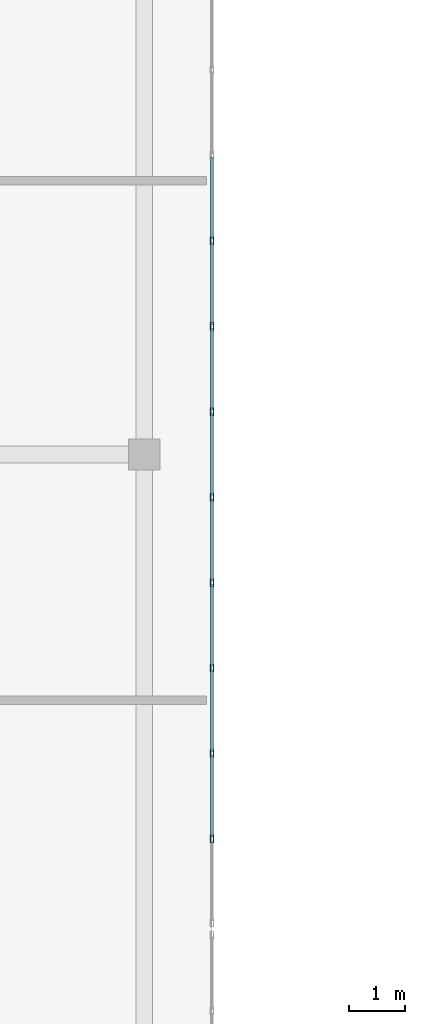
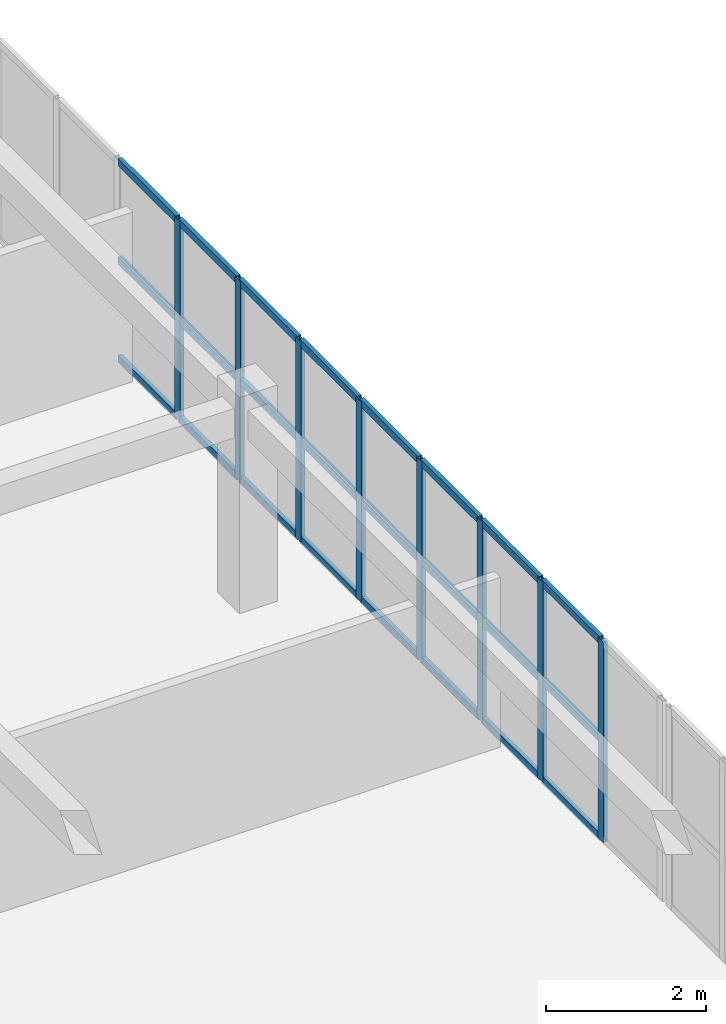
# One storey, part 49 of 148: 32 members, 1 element without a shape of its own.
"""IFC4 building model written with IfcOpenShell, lengths in metres."""

import ifcopenshell
import ifcopenshell.guid

model = None  # the IFC model being written
_history = None  # IfcOwnerHistory: only IFC2X3 demands one
_inside = {}  # id of a spatial element -> (the spatial element, [elements in it])
_under = {}  # id of a project, library or spatial element -> (it, [spatial elements below it])
_declared = {}  # id of a project -> (the project, [libraries it declares])
_typed = {}  # id of a type object -> (the type object, [elements of that type])
_made_of = {}  # id of a material, layer set ... -> (it, [elements and type objects made of it])


def new_model(schema):
    """Start an empty IFC model of exactly this schema.

    Asked for "IFC4X3", IfcOpenShell would pick the latest addendum, in which some entities
    have other attributes; the version numbers below select the first issue.
    IFC2X3 requires an IfcOwnerHistory on every rooted entity: one is made here for all.
    """
    global model, _history
    if schema == "IFC4X3":
        model = ifcopenshell.file(schema_version=(4, 3, 0, 0))
    else:
        model = ifcopenshell.file(schema=schema)
    _inside.clear()
    _under.clear()
    _declared.clear()
    _typed.clear()
    _made_of.clear()
    _history = None
    if model.schema == "IFC2X3":
        org = make("IfcOrganization", Name="unknown")
        user = make(
            "IfcPersonAndOrganization",
            ThePerson=make("IfcPerson", FamilyName="unknown"),
            TheOrganization=org,
        )
        app = make(
            "IfcApplication",
            ApplicationDeveloper=org,
            Version="unknown",
            ApplicationFullName="unknown",
            ApplicationIdentifier="unknown",
        )
        _history = make(
            "IfcOwnerHistory",
            OwningUser=user,
            OwningApplication=app,
            ChangeAction="ADDED",
            CreationDate=0,
        )
    return model


def make(cls, **values):
    """One entity of the class cls with the attributes given. An attribute that is None is left unset."""
    return model.create_entity(
        cls, **{name: value for name, value in values.items() if value is not None}
    )


def rooted(cls, **values):
    """An entity with a GlobalId (a new one), such as an element, a storey or a relation."""
    return make(cls, GlobalId=ifcopenshell.guid.new(), OwnerHistory=_history, **values)


def si_unit(unit_type, name, prefix=None):
    """IfcSIUnit, for example si_unit("LENGTHUNIT", "METRE", prefix="MILLI")."""
    return make("IfcSIUnit", UnitType=unit_type, Prefix=prefix, Name=name)


def assignment(units):
    """IfcUnitAssignment: the units of a project."""
    return None if units is None else make("IfcUnitAssignment", Units=units)


def point(xyz):
    """IfcCartesianPoint."""
    return None if xyz is None else make("IfcCartesianPoint", Coordinates=xyz)


def direction(xyz):
    """IfcDirection."""
    return None if xyz is None else make("IfcDirection", DirectionRatios=xyz)


def frame(location, z_axis=None, x_axis=None):
    """IfcAxis2Placement3D, a coordinate frame: its origin and axes. An axis left out is left unset."""
    return make(
        "IfcAxis2Placement3D",
        Location=point(location),
        Axis=direction(z_axis),
        RefDirection=direction(x_axis),
    )


def frame_2d(location, x_axis=None):
    """IfcAxis2Placement2D, a coordinate frame in the plane: its origin and x axis."""
    return make(
        "IfcAxis2Placement2D", Location=point(location), RefDirection=direction(x_axis)
    )


def origin():
    """The frame at (0, 0, 0) with its axes left unset."""
    return frame((0.0, 0.0, 0.0))


def origin_2d():
    """The frame at (0, 0) in the plane with its x axis left unset."""
    return frame_2d((0.0, 0.0))


def place(relative_to, where):
    """IfcLocalPlacement: puts the frame where relative to a parent placement (None: the world)."""
    return make(
        "IfcLocalPlacement", PlacementRelTo=relative_to, RelativePlacement=where
    )


def context(
    kind, dimensions, precision=None, world=None, true_north=None, identifier=None
):
    """IfcGeometricRepresentationContext, for example the 3D "Model" context."""
    return make(
        "IfcGeometricRepresentationContext",
        ContextIdentifier=identifier,
        ContextType=kind,
        CoordinateSpaceDimension=dimensions,
        Precision=precision,
        WorldCoordinateSystem=world,
        TrueNorth=true_north,
    )


def subcontext(parent, identifier, kind, view, scale=None):
    """IfcGeometricRepresentationSubContext, for example "Body" below "Model"."""
    return make(
        "IfcGeometricRepresentationSubContext",
        ContextIdentifier=identifier,
        ContextType=kind,
        ParentContext=parent,
        TargetScale=scale,
        TargetView=view,
    )


def project(units=None, contexts=None):
    """IfcProject with its units and contexts."""
    return rooted(
        "IfcProject",
        Name="project",
        RepresentationContexts=contexts,
        UnitsInContext=assignment(units),
    )


def spatial(cls, under=None, at=None, **own):
    """A site, building, storey or space (cls), placed at a placement, below another one or the project."""
    s = rooted(cls, ObjectPlacement=at, **own)
    if under is not None:
        _under.setdefault(under.id(), (under, []))[1].append(s)
    return s


def profile(cls, at=None, kind="AREA", **sizes):
    """A parametric profile (cls). Its sizes go by their IFC names, for example OverallWidth=200.0."""
    return make(cls, ProfileType=kind, Position=at, **sizes)


def hollow_rectangle(**sizes):
    """IfcRectangleHollowProfileDef."""
    return profile("IfcRectangleHollowProfileDef", **sizes)


def extrude(swept, where, along, depth):
    """IfcExtrudedAreaSolid: the profile swept, set in the frame where, extruded along a direction by depth."""
    return make(
        "IfcExtrudedAreaSolid",
        SweptArea=swept,
        Position=where,
        ExtrudedDirection=direction(along),
        Depth=depth,
    )


def shape(context_of_items, identifier, shape_type, items):
    """IfcShapeRepresentation: the items that make up one representation, for example the "Body"."""
    return make(
        "IfcShapeRepresentation",
        ContextOfItems=context_of_items,
        RepresentationIdentifier=identifier,
        RepresentationType=shape_type,
        Items=items,
    )


def material(Name=None, Category=None):
    """IfcMaterial."""
    return make("IfcMaterial", Name=Name, Category=Category)


def layer(
    of_material, thickness, ventilated=None, Name=None, Category=None, Priority=None
):
    """IfcMaterialLayer: one layer of a wall or slab, of a material (None: an air gap)."""
    return make(
        "IfcMaterialLayer",
        Material=of_material,
        LayerThickness=thickness,
        IsVentilated=ventilated,
        Name=Name,
        Category=Category,
        Priority=Priority,
    )


def layer_set(layers, Name=None):
    """IfcMaterialLayerSet."""
    return make("IfcMaterialLayerSet", MaterialLayers=layers, LayerSetName=Name)


def material_profile(
    of_material, cross_section, Name=None, Category=None, Priority=None
):
    """IfcMaterialProfile: a cross section and its material."""
    return make(
        "IfcMaterialProfile",
        Name=Name,
        Material=of_material,
        Profile=cross_section,
        Priority=Priority,
        Category=Category,
    )


def profile_set(profiles, Name=None, composite=None):
    """IfcMaterialProfileSet."""
    return make(
        "IfcMaterialProfileSet",
        Name=Name,
        MaterialProfiles=profiles,
        CompositeProfile=composite,
    )


def made_of(thing, what):
    """Note that an element or type object is made of a material, layer set ...; save() writes the relation."""
    if what is not None:
        _made_of.setdefault(what.id(), (what, []))[1].append(thing)
    return thing


def type_object(cls, material=None, **own):
    """A type object (cls), such as IfcWallType, which elements share."""
    return made_of(rooted(cls, **own), material)


def element(
    cls,
    number,
    at=None,
    inside=None,
    cuts=None,
    type_object=None,
    material=None,
    context=None,
    identifier="Body",
    shape_type=None,
    held_by="IfcProductDefinitionShape",
    body=None,
    shapes=None,
    **own,
):
    """One element of the class cls, such as IfcWall. Its Tag is "e" and its number.

    at: its placement. inside: the storey or other place that contains it. cuts: it is an
    opening in that element (IfcRelVoidsElement). A single representation is given by context,
    identifier, shape_type and body (its items); several are given by shapes. held_by: the class
    of the entity that holds the representations. save() writes the other relations.
    """
    e = rooted(cls, Tag="e%d" % number, ObjectPlacement=at, **own)
    if body is not None:
        shapes = [shape(context, identifier, shape_type, body)]
    if shapes is not None:
        e.Representation = make(held_by, Representations=shapes)
    if inside is not None:
        _inside.setdefault(inside.id(), (inside, []))[1].append(e)
    if cuts is not None:
        rooted(
            "IfcRelVoidsElement", RelatingBuildingElement=cuts, RelatedOpeningElement=e
        )
    if type_object is not None:
        _typed.setdefault(type_object.id(), (type_object, []))[1].append(e)
    return made_of(e, material)


def aggregate(whole, parts):
    """IfcRelAggregates: a whole, such as a stair, and the parts it consists of."""
    return rooted("IfcRelAggregates", RelatingObject=whole, RelatedObjects=parts)


def save(model, path):
    """Write the relations noted so far, then the file.

    IfcRelAggregates (storeys below a building ...), IfcRelContainedInSpatialStructure (elements
    in a storey), IfcRelDefinesByType, IfcRelAssociatesMaterial and IfcRelDeclares: one each for
    every whole, place, type object, material and project.
    """
    for whole, parts in _under.values():
        aggregate(whole, parts)
    for where, things in _inside.values():
        rooted(
            "IfcRelContainedInSpatialStructure",
            RelatedElements=things,
            RelatingStructure=where,
        )
    for kind, things in _typed.values():
        rooted("IfcRelDefinesByType", RelatedObjects=things, RelatingType=kind)
    for what, things in _made_of.values():
        rooted("IfcRelAssociatesMaterial", RelatedObjects=things, RelatingMaterial=what)
    for by, libraries in _declared.values():
        rooted("IfcRelDeclares", RelatingContext=by, RelatedDefinitions=libraries)
    model.write(path)


model = new_model("IFC4")

# Units and contexts
model_context = context("Model", 3, precision=1e-05, world=origin(), true_north=direction((0.0, 1.0)))
body_context = subcontext(model_context, "Body", "Model", "MODEL_VIEW")
ifc_project = project(units=[si_unit("LENGTHUNIT", "METRE"), si_unit("AREAUNIT", "SQUARE_METRE"), si_unit("VOLUMEUNIT", "CUBIC_METRE"), si_unit("PLANEANGLEUNIT", "RADIAN"), si_unit("MASSUNIT", "GRAM", prefix="KILO")], contexts=[model_context])

# Site, building, storey
site_placement = place(None, origin())
site = spatial("IfcSite", under=ifc_project, at=site_placement, CompositionType="ELEMENT")
building_placement = place(site_placement, origin())
building = spatial("IfcBuilding", under=site, at=building_placement, Name="Trelvath General Hospital", CompositionType="ELEMENT")
storey_placement = place(building_placement, frame((0.0, 0.0, 12.89990234375)))
storey = spatial("IfcBuildingStorey", under=building, at=storey_placement, Name="L03", CompositionType="ELEMENT", Elevation=12.89990234375)

# Curtain wall, members
ifc_material_1 = material(Name="Anodised aluminium and low-E glass", Category="aluminium")
ifc_layer = layer(ifc_material_1, 0.14990234375)
ifc_layer_set = layer_set([ifc_layer], Name="Anodised aluminium and low-E glass")
curtain_wall_type = type_object("IfcCurtainWallType", Name="CW CrystalCube 1664 306 15", PredefinedType="USERDEFINED", material=ifc_layer_set)
curtain_wall_placement = place(storey_placement, origin())
curtain_wall = element("IfcCurtainWall", 1, at=curtain_wall_placement, inside=storey, type_object=curtain_wall_type, Name="Crystal Cube Curtain Wall CUBE-E-T1 E3 L03", ObjectType="Unitised Glazed Curtain Wall", PredefinedType="USERDEFINED")
ifc_material_2 = material(Name="Anodised aluminium", Category="aluminium")
ifc_material_profile_1 = material_profile(ifc_material_2, hollow_rectangle(XDim=0.06005859375, YDim=0.139892578125, WallThickness=0.00390625, at=origin_2d()), Name="RHS60x140x4")
ifc_profile_set_1 = profile_set([ifc_material_profile_1], Name="Anodised aluminium")
member_type_1 = type_object("IfcMemberType", Name="CurtainMullion 60x140", PredefinedType="MULLION", material=ifc_profile_set_1)
member_1_placement = place(storey_placement, frame((114.800048828125, 62.581787109375, 0.0), z_axis=(0.0, 0.0, 1.0), x_axis=(1.0, 0.0, 0.0)))
member_1 = element("IfcMember", 2, at=member_1_placement, type_object=member_type_1, Name="CW-253 mullion 4", PredefinedType="MULLION", context=body_context, shape_type="SweptSolid", body=[
    extrude(hollow_rectangle(XDim=0.06005859375, YDim=0.139892578125, WallThickness=0.00390625, at=origin_2d()), origin(), (0.0, 0.0, 1.0), 3.06005859375),
])
member_2_placement = place(storey_placement, frame((114.800048828125, 61.069091796875, 0.0), z_axis=(0.0, 0.0, 1.0), x_axis=(1.0, 0.0, 0.0)))
member_2 = element("IfcMember", 3, at=member_2_placement, type_object=member_type_1, Name="CW-253 mullion 5", PredefinedType="MULLION", context=body_context, shape_type="SweptSolid", body=[
    extrude(hollow_rectangle(XDim=0.06005859375, YDim=0.139892578125, WallThickness=0.00390625, at=origin_2d()), origin(), (0.0, 0.0, 1.0), 3.06005859375),
])
member_3_placement = place(storey_placement, frame((114.800048828125, 59.556396484375, 0.0), z_axis=(0.0, 0.0, 1.0), x_axis=(1.0, 0.0, 0.0)))
member_3 = element("IfcMember", 4, at=member_3_placement, type_object=member_type_1, Name="CW-253 mullion 6", PredefinedType="MULLION", context=body_context, shape_type="SweptSolid", body=[
    extrude(hollow_rectangle(XDim=0.06005859375, YDim=0.139892578125, WallThickness=0.00390625, at=origin_2d()), origin(), (0.0, 0.0, 1.0), 3.06005859375),
])
member_4_placement = place(storey_placement, frame((114.800048828125, 58.043701171875, 0.0), z_axis=(0.0, 0.0, 1.0), x_axis=(1.0, 0.0, 0.0)))
member_4 = element("IfcMember", 5, at=member_4_placement, type_object=member_type_1, Name="CW-253 mullion 7", PredefinedType="MULLION", context=body_context, shape_type="SweptSolid", body=[
    extrude(hollow_rectangle(XDim=0.06005859375, YDim=0.139892578125, WallThickness=0.00390625, at=origin_2d()), origin(), (0.0, 0.0, 1.0), 3.06005859375),
])
member_5_placement = place(storey_placement, frame((114.800048828125, 56.531005859375, 0.0), z_axis=(0.0, 0.0, 1.0), x_axis=(1.0, 0.0, 0.0)))
member_5 = element("IfcMember", 6, at=member_5_placement, type_object=member_type_1, Name="CW-253 mullion 8", PredefinedType="MULLION", context=body_context, shape_type="SweptSolid", body=[
    extrude(hollow_rectangle(XDim=0.06005859375, YDim=0.139892578125, WallThickness=0.00390625, at=origin_2d()), origin(), (0.0, 0.0, 1.0), 3.06005859375),
])
member_6_placement = place(storey_placement, frame((114.800048828125, 55.01806640625, 0.0), z_axis=(0.0, 0.0, 1.0), x_axis=(1.0, 0.0, 0.0)))
member_6 = element("IfcMember", 7, at=member_6_placement, type_object=member_type_1, Name="CW-253 mullion 9", PredefinedType="MULLION", context=body_context, shape_type="SweptSolid", body=[
    extrude(hollow_rectangle(XDim=0.06005859375, YDim=0.139892578125, WallThickness=0.00390625, at=origin_2d()), origin(), (0.0, 0.0, 1.0), 3.06005859375),
])
member_7_placement = place(storey_placement, frame((114.800048828125, 53.50537109375, 0.0), z_axis=(0.0, 0.0, 1.0), x_axis=(1.0, 0.0, 0.0)))
member_7 = element("IfcMember", 8, at=member_7_placement, type_object=member_type_1, Name="CW-253 mullion 10", PredefinedType="MULLION", context=body_context, shape_type="SweptSolid", body=[
    extrude(hollow_rectangle(XDim=0.06005859375, YDim=0.139892578125, WallThickness=0.00390625, at=origin_2d()), origin(), (0.0, 0.0, 1.0), 3.06005859375),
])
member_8_placement = place(storey_placement, frame((114.800048828125, 51.99267578125, 0.0), z_axis=(0.0, 0.0, 1.0), x_axis=(1.0, 0.0, 0.0)))
member_8 = element("IfcMember", 9, at=member_8_placement, type_object=member_type_1, Name="CW-253 mullion 11", PredefinedType="MULLION", context=body_context, shape_type="SweptSolid", body=[
    extrude(hollow_rectangle(XDim=0.06005859375, YDim=0.139892578125, WallThickness=0.00390625, at=origin_2d()), origin(), (0.0, 0.0, 1.0), 3.06005859375),
])
ifc_material_3 = material(Name="Anodised aluminium", Category="aluminium")
ifc_material_profile_2 = material_profile(ifc_material_3, hollow_rectangle(XDim=0.06005859375, YDim=0.110107421875, WallThickness=0.00390625, at=origin_2d()), Name="RHS60x110x4")
ifc_profile_set_2 = profile_set([ifc_material_profile_2], Name="Anodised aluminium")
member_type_2 = type_object("IfcMemberType", Name="CurtainTransom 60x110", PredefinedType="USERDEFINED", material=ifc_profile_set_2)
member_9_placement = place(storey_placement, frame((114.800048828125, 64.064453125, 0.030029296875), z_axis=(0.0, -1.0, 0.0), x_axis=(1.0, 0.0, 0.0)))
member_9 = element("IfcMember", 10, at=member_9_placement, type_object=member_type_2, Name="CW-253 transom 3.1", ObjectType="TRANSOM", PredefinedType="USERDEFINED", context=body_context, shape_type="SweptSolid", body=[
    extrude(hollow_rectangle(XDim=0.06005859375, YDim=0.110107421875, WallThickness=0.00390625, at=origin_2d()), origin(), (0.0, 0.0, 1.0), 1.45263671875),
])
member_10_placement = place(storey_placement, frame((114.800048828125, 64.064453125, 1.530029296875), z_axis=(0.0, -1.0, 0.0), x_axis=(1.0, 0.0, 0.0)))
member_10 = element("IfcMember", 11, at=member_10_placement, type_object=member_type_2, Name="CW-253 transom 3.2", ObjectType="TRANSOM", PredefinedType="USERDEFINED", context=body_context, shape_type="SweptSolid", body=[
    extrude(hollow_rectangle(XDim=0.06005859375, YDim=0.110107421875, WallThickness=0.00390625, at=origin_2d()), origin(), (0.0, 0.0, 1.0), 1.45263671875),
])
member_11_placement = place(storey_placement, frame((114.800048828125, 64.064453125, 3.030029296875), z_axis=(0.0, -1.0, 0.0), x_axis=(1.0, 0.0, 0.0)))
member_11 = element("IfcMember", 12, at=member_11_placement, type_object=member_type_2, Name="CW-253 transom 3.3", ObjectType="TRANSOM", PredefinedType="USERDEFINED", context=body_context, shape_type="SweptSolid", body=[
    extrude(hollow_rectangle(XDim=0.06005859375, YDim=0.110107421875, WallThickness=0.00390625, at=origin_2d()), origin(), (0.0, 0.0, 1.0), 1.45263671875),
])
member_12_placement = place(storey_placement, frame((114.800048828125, 62.5517578125, 0.030029296875), z_axis=(0.0, -1.0, 0.0), x_axis=(1.0, 0.0, 0.0)))
member_12 = element("IfcMember", 13, at=member_12_placement, type_object=member_type_2, Name="CW-253 transom 4.1", ObjectType="TRANSOM", PredefinedType="USERDEFINED", context=body_context, shape_type="SweptSolid", body=[
    extrude(hollow_rectangle(XDim=0.06005859375, YDim=0.110107421875, WallThickness=0.00390625, at=origin_2d()), origin(), (0.0, 0.0, 1.0), 1.45263671875),
])
member_13_placement = place(storey_placement, frame((114.800048828125, 62.5517578125, 1.530029296875), z_axis=(0.0, -1.0, 0.0), x_axis=(1.0, 0.0, 0.0)))
member_13 = element("IfcMember", 14, at=member_13_placement, type_object=member_type_2, Name="CW-253 transom 4.2", ObjectType="TRANSOM", PredefinedType="USERDEFINED", context=body_context, shape_type="SweptSolid", body=[
    extrude(hollow_rectangle(XDim=0.06005859375, YDim=0.110107421875, WallThickness=0.00390625, at=origin_2d()), origin(), (0.0, 0.0, 1.0), 1.45263671875),
])
member_14_placement = place(storey_placement, frame((114.800048828125, 62.5517578125, 3.030029296875), z_axis=(0.0, -1.0, 0.0), x_axis=(1.0, 0.0, 0.0)))
member_14 = element("IfcMember", 15, at=member_14_placement, type_object=member_type_2, Name="CW-253 transom 4.3", ObjectType="TRANSOM", PredefinedType="USERDEFINED", context=body_context, shape_type="SweptSolid", body=[
    extrude(hollow_rectangle(XDim=0.06005859375, YDim=0.110107421875, WallThickness=0.00390625, at=origin_2d()), origin(), (0.0, 0.0, 1.0), 1.45263671875),
])
member_15_placement = place(storey_placement, frame((114.800048828125, 61.0390625, 0.030029296875), z_axis=(0.0, -1.0, 0.0), x_axis=(1.0, 0.0, 0.0)))
member_15 = element("IfcMember", 16, at=member_15_placement, type_object=member_type_2, Name="CW-253 transom 5.1", ObjectType="TRANSOM", PredefinedType="USERDEFINED", context=body_context, shape_type="SweptSolid", body=[
    extrude(hollow_rectangle(XDim=0.06005859375, YDim=0.110107421875, WallThickness=0.00390625, at=origin_2d()), origin(), (0.0, 0.0, 1.0), 1.45263671875),
])
member_16_placement = place(storey_placement, frame((114.800048828125, 61.0390625, 1.530029296875), z_axis=(0.0, -1.0, 0.0), x_axis=(1.0, 0.0, 0.0)))
member_16 = element("IfcMember", 17, at=member_16_placement, type_object=member_type_2, Name="CW-253 transom 5.2", ObjectType="TRANSOM", PredefinedType="USERDEFINED", context=body_context, shape_type="SweptSolid", body=[
    extrude(hollow_rectangle(XDim=0.06005859375, YDim=0.110107421875, WallThickness=0.00390625, at=origin_2d()), origin(), (0.0, 0.0, 1.0), 1.45263671875),
])
member_17_placement = place(storey_placement, frame((114.800048828125, 61.0390625, 3.030029296875), z_axis=(0.0, -1.0, 0.0), x_axis=(1.0, 0.0, 0.0)))
member_17 = element("IfcMember", 18, at=member_17_placement, type_object=member_type_2, Name="CW-253 transom 5.3", ObjectType="TRANSOM", PredefinedType="USERDEFINED", context=body_context, shape_type="SweptSolid", body=[
    extrude(hollow_rectangle(XDim=0.06005859375, YDim=0.110107421875, WallThickness=0.00390625, at=origin_2d()), origin(), (0.0, 0.0, 1.0), 1.45263671875),
])
member_18_placement = place(storey_placement, frame((114.800048828125, 59.5263671875, 0.030029296875), z_axis=(0.0, -1.0, 0.0), x_axis=(1.0, 0.0, 0.0)))
member_18 = element("IfcMember", 19, at=member_18_placement, type_object=member_type_2, Name="CW-253 transom 6.1", ObjectType="TRANSOM", PredefinedType="USERDEFINED", context=body_context, shape_type="SweptSolid", body=[
    extrude(hollow_rectangle(XDim=0.06005859375, YDim=0.110107421875, WallThickness=0.00390625, at=origin_2d()), origin(), (0.0, 0.0, 1.0), 1.45263671875),
])
member_19_placement = place(storey_placement, frame((114.800048828125, 59.5263671875, 1.530029296875), z_axis=(0.0, -1.0, 0.0), x_axis=(1.0, 0.0, 0.0)))
member_19 = element("IfcMember", 20, at=member_19_placement, type_object=member_type_2, Name="CW-253 transom 6.2", ObjectType="TRANSOM", PredefinedType="USERDEFINED", context=body_context, shape_type="SweptSolid", body=[
    extrude(hollow_rectangle(XDim=0.06005859375, YDim=0.110107421875, WallThickness=0.00390625, at=origin_2d()), origin(), (0.0, 0.0, 1.0), 1.45263671875),
])
member_20_placement = place(storey_placement, frame((114.800048828125, 59.5263671875, 3.030029296875), z_axis=(0.0, -1.0, 0.0), x_axis=(1.0, 0.0, 0.0)))
member_20 = element("IfcMember", 21, at=member_20_placement, type_object=member_type_2, Name="CW-253 transom 6.3", ObjectType="TRANSOM", PredefinedType="USERDEFINED", context=body_context, shape_type="SweptSolid", body=[
    extrude(hollow_rectangle(XDim=0.06005859375, YDim=0.110107421875, WallThickness=0.00390625, at=origin_2d()), origin(), (0.0, 0.0, 1.0), 1.45263671875),
])
member_21_placement = place(storey_placement, frame((114.800048828125, 58.013671875, 0.030029296875), z_axis=(0.0, -1.0, 0.0), x_axis=(1.0, 0.0, 0.0)))
member_21 = element("IfcMember", 22, at=member_21_placement, type_object=member_type_2, Name="CW-253 transom 7.1", ObjectType="TRANSOM", PredefinedType="USERDEFINED", context=body_context, shape_type="SweptSolid", body=[
    extrude(hollow_rectangle(XDim=0.06005859375, YDim=0.110107421875, WallThickness=0.00390625, at=origin_2d()), origin(), (0.0, 0.0, 1.0), 1.452880859375),
])
member_22_placement = place(storey_placement, frame((114.800048828125, 58.013671875, 1.530029296875), z_axis=(0.0, -1.0, 0.0), x_axis=(1.0, 0.0, 0.0)))
member_22 = element("IfcMember", 23, at=member_22_placement, type_object=member_type_2, Name="CW-253 transom 7.2", ObjectType="TRANSOM", PredefinedType="USERDEFINED", context=body_context, shape_type="SweptSolid", body=[
    extrude(hollow_rectangle(XDim=0.06005859375, YDim=0.110107421875, WallThickness=0.00390625, at=origin_2d()), origin(), (0.0, 0.0, 1.0), 1.452880859375),
])
member_23_placement = place(storey_placement, frame((114.800048828125, 58.013671875, 3.030029296875), z_axis=(0.0, -1.0, 0.0), x_axis=(1.0, 0.0, 0.0)))
member_23 = element("IfcMember", 24, at=member_23_placement, type_object=member_type_2, Name="CW-253 transom 7.3", ObjectType="TRANSOM", PredefinedType="USERDEFINED", context=body_context, shape_type="SweptSolid", body=[
    extrude(hollow_rectangle(XDim=0.06005859375, YDim=0.110107421875, WallThickness=0.00390625, at=origin_2d()), origin(), (0.0, 0.0, 1.0), 1.452880859375),
])
member_24_placement = place(storey_placement, frame((114.800048828125, 56.5009765625, 0.030029296875), z_axis=(0.0, -1.0, 0.0), x_axis=(1.0, 0.0, 0.0)))
member_24 = element("IfcMember", 25, at=member_24_placement, type_object=member_type_2, Name="CW-253 transom 8.1", ObjectType="TRANSOM", PredefinedType="USERDEFINED", context=body_context, shape_type="SweptSolid", body=[
    extrude(hollow_rectangle(XDim=0.06005859375, YDim=0.110107421875, WallThickness=0.00390625, at=origin_2d()), origin(), (0.0, 0.0, 1.0), 1.452880859375),
])
member_25_placement = place(storey_placement, frame((114.800048828125, 56.5009765625, 1.530029296875), z_axis=(0.0, -1.0, 0.0), x_axis=(1.0, 0.0, 0.0)))
member_25 = element("IfcMember", 26, at=member_25_placement, type_object=member_type_2, Name="CW-253 transom 8.2", ObjectType="TRANSOM", PredefinedType="USERDEFINED", context=body_context, shape_type="SweptSolid", body=[
    extrude(hollow_rectangle(XDim=0.06005859375, YDim=0.110107421875, WallThickness=0.00390625, at=origin_2d()), origin(), (0.0, 0.0, 1.0), 1.452880859375),
])
member_26_placement = place(storey_placement, frame((114.800048828125, 56.5009765625, 3.030029296875), z_axis=(0.0, -1.0, 0.0), x_axis=(1.0, 0.0, 0.0)))
member_26 = element("IfcMember", 27, at=member_26_placement, type_object=member_type_2, Name="CW-253 transom 8.3", ObjectType="TRANSOM", PredefinedType="USERDEFINED", context=body_context, shape_type="SweptSolid", body=[
    extrude(hollow_rectangle(XDim=0.06005859375, YDim=0.110107421875, WallThickness=0.00390625, at=origin_2d()), origin(), (0.0, 0.0, 1.0), 1.452880859375),
])
member_27_placement = place(storey_placement, frame((114.800048828125, 54.98828125, 0.030029296875), z_axis=(0.0, -1.0, 0.0), x_axis=(1.0, 0.0, 0.0)))
member_27 = element("IfcMember", 28, at=member_27_placement, type_object=member_type_2, Name="CW-253 transom 9.1", ObjectType="TRANSOM", PredefinedType="USERDEFINED", context=body_context, shape_type="SweptSolid", body=[
    extrude(hollow_rectangle(XDim=0.06005859375, YDim=0.110107421875, WallThickness=0.00390625, at=origin_2d()), origin(), (0.0, 0.0, 1.0), 1.452880859375),
])
member_28_placement = place(storey_placement, frame((114.800048828125, 54.98828125, 1.530029296875), z_axis=(0.0, -1.0, 0.0), x_axis=(1.0, 0.0, 0.0)))
member_28 = element("IfcMember", 29, at=member_28_placement, type_object=member_type_2, Name="CW-253 transom 9.2", ObjectType="TRANSOM", PredefinedType="USERDEFINED", context=body_context, shape_type="SweptSolid", body=[
    extrude(hollow_rectangle(XDim=0.06005859375, YDim=0.110107421875, WallThickness=0.00390625, at=origin_2d()), origin(), (0.0, 0.0, 1.0), 1.452880859375),
])
member_29_placement = place(storey_placement, frame((114.800048828125, 54.98828125, 3.030029296875), z_axis=(0.0, -1.0, 0.0), x_axis=(1.0, 0.0, 0.0)))
member_29 = element("IfcMember", 30, at=member_29_placement, type_object=member_type_2, Name="CW-253 transom 9.3", ObjectType="TRANSOM", PredefinedType="USERDEFINED", context=body_context, shape_type="SweptSolid", body=[
    extrude(hollow_rectangle(XDim=0.06005859375, YDim=0.110107421875, WallThickness=0.00390625, at=origin_2d()), origin(), (0.0, 0.0, 1.0), 1.452880859375),
])
member_30_placement = place(storey_placement, frame((114.800048828125, 53.475341796875, 0.030029296875), z_axis=(0.0, -1.0, 0.0), x_axis=(1.0, 0.0, 0.0)))
member_30 = element("IfcMember", 31, at=member_30_placement, type_object=member_type_2, Name="CW-253 transom 10.1", ObjectType="TRANSOM", PredefinedType="USERDEFINED", context=body_context, shape_type="SweptSolid", body=[
    extrude(hollow_rectangle(XDim=0.06005859375, YDim=0.110107421875, WallThickness=0.00390625, at=origin_2d()), origin(), (0.0, 0.0, 1.0), 1.45263671875),
])
member_31_placement = place(storey_placement, frame((114.800048828125, 53.475341796875, 1.530029296875), z_axis=(0.0, -1.0, 0.0), x_axis=(1.0, 0.0, 0.0)))
member_31 = element("IfcMember", 32, at=member_31_placement, type_object=member_type_2, Name="CW-253 transom 10.2", ObjectType="TRANSOM", PredefinedType="USERDEFINED", context=body_context, shape_type="SweptSolid", body=[
    extrude(hollow_rectangle(XDim=0.06005859375, YDim=0.110107421875, WallThickness=0.00390625, at=origin_2d()), origin(), (0.0, 0.0, 1.0), 1.45263671875),
])
member_32_placement = place(storey_placement, frame((114.800048828125, 53.475341796875, 3.030029296875), z_axis=(0.0, -1.0, 0.0), x_axis=(1.0, 0.0, 0.0)))
member_32 = element("IfcMember", 33, at=member_32_placement, type_object=member_type_2, Name="CW-253 transom 10.3", ObjectType="TRANSOM", PredefinedType="USERDEFINED", context=body_context, shape_type="SweptSolid", body=[
    extrude(hollow_rectangle(XDim=0.06005859375, YDim=0.110107421875, WallThickness=0.00390625, at=origin_2d()), origin(), (0.0, 0.0, 1.0), 1.45263671875),
])
aggregate(curtain_wall, [member_1, member_2, member_3, member_4, member_5, member_6, member_7, member_8, member_9, member_10, member_11, member_12, member_13, member_14, member_15, member_16, member_17, member_18, member_19, member_20, member_21, member_22, member_23, member_24, member_25, member_26, member_27, member_28, member_29, member_30, member_31, member_32])

save(model, "model.ifc")
